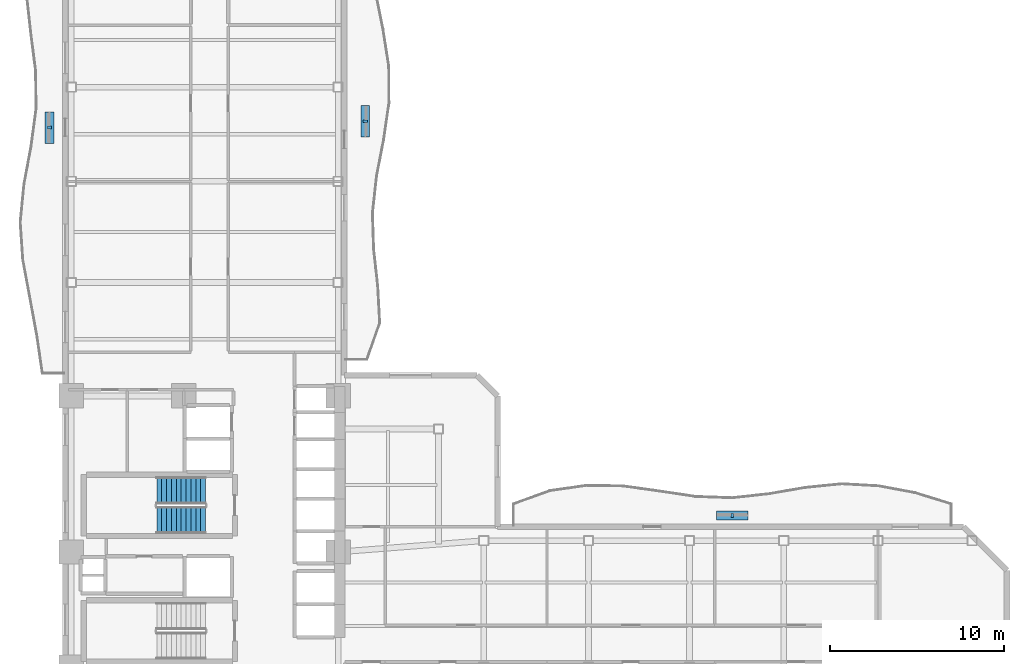
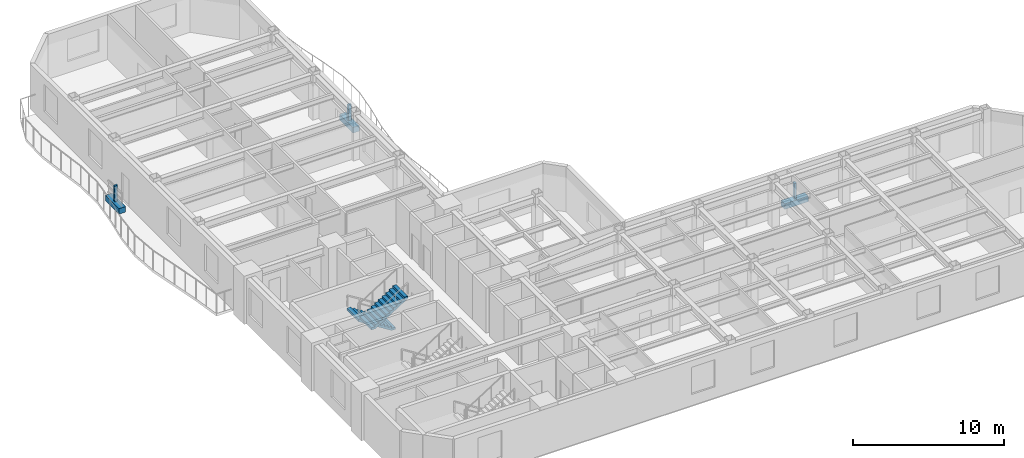
# One storey, part 7 of 10: 6 discrete accessories, 2 stair flights, 1 element without a shape of its own.
"""IFC4 building model written with IfcOpenShell, lengths in metres."""

from ifc_helpers import new_model, si_unit, direction, frame, origin, origin_2d, place, context, subcontext, project, spatial, polyline, rectangle, outline, extrude, material, type_object, element, aggregate, save


model = new_model("IFC4")

# Units and contexts
model_context = context("Model", 3, precision=1e-05, world=origin(), true_north=direction((0.0, 1.0)))
body_context = subcontext(model_context, "Body", "Model", "MODEL_VIEW")
ifc_project = project(units=[si_unit("LENGTHUNIT", "METRE"), si_unit("AREAUNIT", "SQUARE_METRE"), si_unit("VOLUMEUNIT", "CUBIC_METRE"), si_unit("PLANEANGLEUNIT", "RADIAN"), si_unit("MASSUNIT", "GRAM", prefix="KILO")], contexts=[model_context])

# Site, building, storey
site_placement = place(None, origin())
site = spatial("IfcSite", under=ifc_project, at=site_placement, CompositionType="ELEMENT")
building_placement = place(site_placement, origin())
building = spatial("IfcBuilding", under=site, at=building_placement, Name="Mawjaban Terraces University", CompositionType="ELEMENT")
storey_placement = place(building_placement, frame((0.0, 0.0, 89.5)))
storey = spatial("IfcBuildingStorey", under=building, at=storey_placement, Name="L21", CompositionType="ELEMENT", Elevation=89.5)

# Stair, stair flights
ifc_material_1 = material(Name="Concrete C40/50", Category="concrete")
stair_type = type_object("IfcStairType", Name="Stair_Core1550_H39", PredefinedType="HALF_TURN_STAIR", material=ifc_material_1)
stair_placement = place(storey_placement, origin())
stair = element("IfcStair", 1, at=stair_placement, inside=storey, type_object=stair_type, Name="L21 Core Exit Stair 2", PredefinedType="HALF_TURN_STAIR")
stair_flight_type = type_object("IfcStairFlightType", Name="Flight_Core1550_H39", PredefinedType="STRAIGHT", material=ifc_material_1)
stair_flight_1_placement = place(storey_placement, frame((30.050048828125, 18.074951171875, 0.0), z_axis=(0.0, 0.0, 1.0), x_axis=(-1.0, 0.0, 0.0)))
stair_flight_1 = element("IfcStairFlight", 2, at=stair_flight_1_placement, type_object=stair_flight_type, Name="ST-2 flight 1", NumberOfRisers=11, NumberOfTreads=10, PredefinedType="STRAIGHT", RiserHeight=0.177272727, TreadLength=0.28, context=body_context, shape_type="SweptSolid", body=[
    extrude(outline(polyline([(0.0, 0.0), (0.0, 0.17724609375), (0.280029296875, 0.17724609375), (0.280029296875, 0.3544921875), (0.56005859375, 0.3544921875), (0.56005859375, 0.53173828125), (0.840087890625, 0.53173828125), (0.840087890625, 0.708984375), (1.1201171875, 0.708984375), (1.1201171875, 0.886474609375), (1.39990234375, 0.886474609375), (1.39990234375, 1.063720703125), (1.679931640625, 1.063720703125), (1.679931640625, 1.240966796875), (1.9599609375, 1.240966796875), (1.9599609375, 1.418212890625), (2.239990234375, 1.418212890625), (2.239990234375, 1.595458984375), (2.52001953125, 1.595458984375), (2.52001953125, 1.772705078125), (2.800048828125, 1.772705078125), (2.800048828125, 1.949951171875), (2.800048828125, 1.59521484375), (0.2802734375, 0.0), (0.0, 0.0)])), frame((0.0, 0.77490234375, 0.0), z_axis=(0.0, -1.0, 0.0), x_axis=(1.0, 0.0, 0.0)), (0.0, 0.0, 1.0), 1.550048828125),
])
stair_flight_2_placement = place(storey_placement, frame((27.25, 16.375, 1.949951171875), z_axis=(0.0, 0.0, 1.0), x_axis=(1.0, 0.0, 0.0)))
stair_flight_2 = element("IfcStairFlight", 3, at=stair_flight_2_placement, type_object=stair_flight_type, Name="ST-2 flight 2", NumberOfRisers=11, NumberOfTreads=10, PredefinedType="STRAIGHT", RiserHeight=0.177272727, TreadLength=0.28, context=body_context, shape_type="SweptSolid", body=[
    extrude(outline(polyline([(0.0, 0.0), (0.0, 0.17724609375), (0.280029296875, 0.17724609375), (0.280029296875, 0.3544921875), (0.56005859375, 0.3544921875), (0.56005859375, 0.53173828125), (0.840087890625, 0.53173828125), (0.840087890625, 0.708984375), (1.1201171875, 0.708984375), (1.1201171875, 0.886474609375), (1.39990234375, 0.886474609375), (1.39990234375, 1.063720703125), (1.679931640625, 1.063720703125), (1.679931640625, 1.240966796875), (1.9599609375, 1.240966796875), (1.9599609375, 1.418212890625), (2.239990234375, 1.418212890625), (2.239990234375, 1.595458984375), (2.52001953125, 1.595458984375), (2.52001953125, 1.772705078125), (2.800048828125, 1.772705078125), (2.800048828125, 1.949951171875), (2.800048828125, 1.59521484375), (0.2802734375, 0.0), (0.0, 0.0)])), frame((0.0, 0.77490234375, 0.0), z_axis=(0.0, -1.0, 0.0), x_axis=(1.0, 0.0, 0.0)), (0.0, 0.0, 1.0), 1.550048828125),
])
aggregate(stair, [stair_flight_1, stair_flight_2])

# Discrete accessories
ifc_material_2 = material(Name="Stainless steel 316L", Category="steel")
discrete_accessory_type_1 = type_object("IfcDiscreteAccessoryType", Name="FacadeScreenBracket_Steel", PredefinedType="BRACKET", material=ifc_material_2)
for number, where, z_axis, x_axis, name in (
    (4, (21.10205078125, 38.883056640625, 0.419921875), (0.0, 0.0, 1.0), (0.0, 1.0, 0.0), "L21 Balcony Screen Support Bracket west"),
    (5, (60.25, 16.64501953125, 0.419921875), (0.0, 0.0, 1.0), (1.0, 0.0, 0.0), "L21 Balcony Screen Support Bracket inner_north"),
    (6, (39.202880859375, 39.242919921875, 0.419921875), (0.0, 0.0, 1.0), (0.0, 1.0, 0.0), "L21 Balcony Screen Support Bracket inner_east"),
):
    element("IfcDiscreteAccessory", number, at=place(storey_placement, frame(where, z_axis=z_axis, x_axis=x_axis)), inside=storey, type_object=discrete_accessory_type_1, Name=name, PredefinedType="BRACKET", context=body_context, shape_type="SweptSolid", body=[
        extrude(rectangle(XDim=0.159912109375, YDim=0.239990234375, at=origin_2d()), origin(), (0.0, 0.0, 1.0), 1.300048828125),
    ])
ifc_material_3 = material(Name="Precast architectural terracotta planter with engineered planting soil", Category="masonry")
discrete_accessory_type_2 = type_object("IfcDiscreteAccessoryType", Name="IrrigatedPlanterTrough_450", PredefinedType="USERDEFINED", material=ifc_material_3)
for number, where, z_axis, x_axis, name in (
    (7, (21.10205078125, 38.883056640625, -0.0048828125), (0.0, 0.0, 1.0), (0.0, 1.0, 0.0), "L21 Balcony Irrigated Planter west"),
    (8, (60.25, 16.64501953125, -0.0048828125), (0.0, 0.0, 1.0), (1.0, 0.0, 0.0), "L21 Balcony Irrigated Planter inner_north"),
    (9, (39.202880859375, 39.242919921875, -0.0048828125), (0.0, 0.0, 1.0), (0.0, 1.0, 0.0), "L21 Balcony Irrigated Planter inner_east"),
):
    element("IfcDiscreteAccessory", number, at=place(storey_placement, frame(where, z_axis=z_axis, x_axis=x_axis)), inside=storey, type_object=discrete_accessory_type_2, Name=name, ObjectType="PLANTER", PredefinedType="USERDEFINED", context=body_context, shape_type="SweptSolid", body=[
        extrude(rectangle(XDim=1.800048828125, YDim=0.5, at=origin_2d()), origin(), (0.0, 0.0, 1.0), 0.449951171875),
    ])

save(model, "model.ifc")
